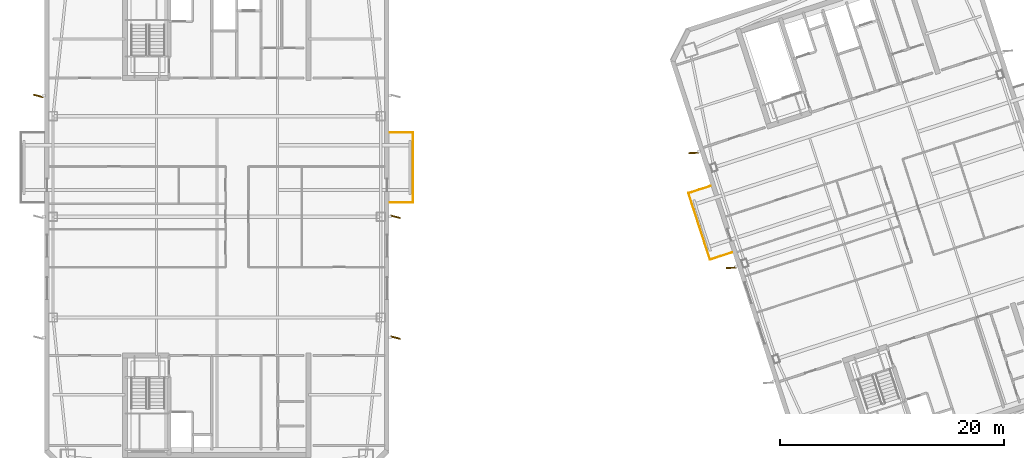
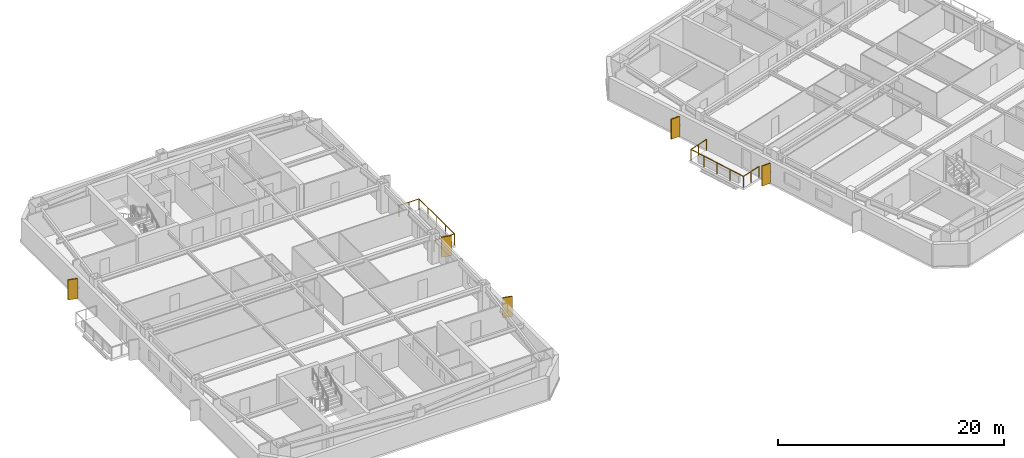
# One storey, part 14 of 17: 5 shading devices, 2 railings.
"""IFC4 building model written with IfcOpenShell, lengths in metres."""

from ifc_helpers import new_model, si_unit, direction, frame, origin, origin_2d, place, context, subcontext, project, spatial, rectangle, circle, extrude, material, layer, layer_set, type_object, element, save


model = new_model("IFC4")

# Units and contexts
model_context = context("Model", 3, precision=1e-05, world=origin(), true_north=direction((0.0, 1.0)))
body_context = subcontext(model_context, "Body", "Model", "MODEL_VIEW")
ifc_project = project(units=[si_unit("LENGTHUNIT", "METRE"), si_unit("AREAUNIT", "SQUARE_METRE"), si_unit("VOLUMEUNIT", "CUBIC_METRE"), si_unit("PLANEANGLEUNIT", "RADIAN"), si_unit("MASSUNIT", "GRAM", prefix="KILO")], contexts=[model_context])

# Site, building, storey
site_placement = place(None, origin())
site = spatial("IfcSite", under=ifc_project, at=site_placement, CompositionType="ELEMENT")
building_placement = place(site_placement, origin())
building = spatial("IfcBuilding", under=site, at=building_placement, Name="Qiaolan Cultural Towers", CompositionType="ELEMENT")
storey_placement = place(building_placement, frame((0.0, 0.0, 247.199951171875)))
storey = spatial("IfcBuildingStorey", under=building, at=storey_placement, Name="L67", CompositionType="ELEMENT", Elevation=247.199951171875)

# Railings
ifc_material_1 = material(Name="Laminated SentryGlas & Stainless Steel S31608 Balustrade", Category="steel")
railing_type = type_object("IfcRailingType", Name="GRD-TERR-1200", PredefinedType="BALUSTRADE", material=ifc_material_1)
railing_1_placement = place(storey_placement, frame((45.449951171875, 35.280029296875, 0.0)))
element("IfcRailing", 1, at=railing_1_placement, inside=storey, type_object=railing_type, Name="L67 T1 Tree Balcony Guardrail E", PredefinedType="BALUSTRADE", context=body_context, shape_type="SweptSolid", body=[
    extrude(circle(Radius=0.02392578125, at=origin_2d()), frame((0.0, 0.0, 1.17578125), z_axis=(1.0, 0.0, 0.0), x_axis=(0.0, 1.0, 0.0)), (0.0, 0.0, 1.0), 2.070068359375),
    extrude(circle(Radius=0.02392578125, at=origin_2d()), frame((2.070068359375, 0.0, 1.17578125), z_axis=(0.0, 1.0, 0.0), x_axis=(-1.0, 0.0, 0.0)), (0.0, 0.0, 1.0), 6.239990234375),
    extrude(circle(Radius=0.02392578125, at=origin_2d()), frame((2.070068359375, 6.239990234375, 1.17578125), z_axis=(-1.0, 0.0, 0.0), x_axis=(0.0, -1.0, 0.0)), (0.0, 0.0, 1.0), 2.070068359375),
    extrude(circle(Radius=0.02099609375, at=origin_2d()), origin(), (0.0, 0.0, 1.0), 1.15185546875),
    extrude(circle(Radius=0.02099609375, at=origin_2d()), frame((1.03515625, 0.0, 0.0)), (0.0, 0.0, 1.0), 1.15185546875),
    extrude(circle(Radius=0.02099609375, at=origin_2d()), frame((2.070068359375, 0.0, 0.0)), (0.0, 0.0, 1.0), 1.15185546875),
    extrude(circle(Radius=0.02099609375, at=origin_2d()), frame((2.070068359375, 1.56005859375, 0.0)), (0.0, 0.0, 1.0), 1.15185546875),
    extrude(circle(Radius=0.02099609375, at=origin_2d()), frame((2.070068359375, 3.1201171875, 0.0)), (0.0, 0.0, 1.0), 1.15185546875),
    extrude(circle(Radius=0.02099609375, at=origin_2d()), frame((2.070068359375, 4.679931640625, 0.0)), (0.0, 0.0, 1.0), 1.15185546875),
    extrude(circle(Radius=0.02099609375, at=origin_2d()), frame((2.070068359375, 6.239990234375, 0.0)), (0.0, 0.0, 1.0), 1.15185546875),
    extrude(circle(Radius=0.02099609375, at=origin_2d()), frame((1.03515625, 6.239990234375, 0.0)), (0.0, 0.0, 1.0), 1.15185546875),
    extrude(circle(Radius=0.02099609375, at=origin_2d()), frame((0.0, 6.239990234375, 0.0)), (0.0, 0.0, 1.0), 1.15185546875),
])
railing_2_placement = place(storey_placement, frame((76.052001953125, 30.81396484375, 0.0)))
element("IfcRailing", 2, at=railing_2_placement, inside=storey, type_object=railing_type, Name="L67 T2 Tree Balcony Guardrail W", PredefinedType="BALUSTRADE", context=body_context, shape_type="SweptSolid", body=[
    extrude(circle(Radius=0.02392578125, at=origin_2d()), frame((0.0, 0.0, 1.17578125), z_axis=(-0.951061799618, -0.309000733507, 0.0), x_axis=(0.309000733507, -0.951061799618, 0.0)), (0.0, 0.0, 1.0), 2.070068359375),
    extrude(circle(Radius=0.02392578125, at=origin_2d()), frame((-1.96875, -0.6396484375, 1.17578125), z_axis=(-0.30901175762, 0.951058217804, 0.0), x_axis=(-0.951058217804, -0.30901175762, 0.0)), (0.0, 0.0, 1.0), 6.239990234375),
    extrude(circle(Radius=0.02392578125, at=origin_2d()), frame((-3.89697265625, 5.294921875, 1.17578125), z_axis=(0.951050536716, 0.309035397023, 0.0), x_axis=(-0.309035397023, 0.951050536716, 0.0)), (0.0, 0.0, 1.0), 2.06982421875),
    extrude(circle(Radius=0.02099609375, at=origin_2d()), origin(), (0.0, 0.0, 1.0), 1.15185546875),
    extrude(circle(Radius=0.02099609375, at=origin_2d()), frame((-0.984375, -0.31982421875, 0.0)), (0.0, 0.0, 1.0), 1.15185546875),
    extrude(circle(Radius=0.02099609375, at=origin_2d()), frame((-1.96875, -0.6396484375, 0.0)), (0.0, 0.0, 1.0), 1.15185546875),
    extrude(circle(Radius=0.02099609375, at=origin_2d()), frame((-2.45068359375, 0.843994140625, 0.0)), (0.0, 0.0, 1.0), 1.15185546875),
    extrude(circle(Radius=0.02099609375, at=origin_2d()), frame((-2.932861328125, 2.32763671875, 0.0)), (0.0, 0.0, 1.0), 1.15185546875),
    extrude(circle(Radius=0.02099609375, at=origin_2d()), frame((-3.4150390625, 3.811279296875, 0.0)), (0.0, 0.0, 1.0), 1.15185546875),
    extrude(circle(Radius=0.02099609375, at=origin_2d()), frame((-3.89697265625, 5.294921875, 0.0)), (0.0, 0.0, 1.0), 1.15185546875),
    extrude(circle(Radius=0.02099609375, at=origin_2d()), frame((-2.91259765625, 5.61474609375, 0.0)), (0.0, 0.0, 1.0), 1.15185546875),
    extrude(circle(Radius=0.02099609375, at=origin_2d()), frame((-1.928466796875, 5.9345703125, 0.0)), (0.0, 0.0, 1.0), 1.15185546875),
])

# Shading devices
ifc_material_2 = material(Name="Light Limestone Precast Vertical Fin", Category="masonry")
ifc_layer = layer(ifc_material_2, 0.1201171875)
ifc_layer_set = layer_set([ifc_layer], Name="Light Limestone Precast Vertical Fin")
shading_device_type = type_object("IfcShadingDeviceType", Name="SHD-FIN-WHITE", PredefinedType="USERDEFINED", material=ifc_layer_set)
for number, where, z_axis, x_axis, name in (
    (3, (14.0400390625, 44.800048828125, 0.10009765625), (0.0, 0.0, 1.0), (0.966947591282, -0.254975206077, 0.0), "L67 T1 Expressive Precast Vertical Fin W3"),
    (4, (45.9599609375, 23.199951171875, 0.10009765625), (0.0, 0.0, 1.0), (0.966947591282, -0.254975206077, 0.0), "L67 T1 Expressive Precast Vertical Fin E1"),
    (5, (45.9599609375, 34.0, 0.10009765625), (0.0, 0.0, 1.0), (0.966947591282, -0.254975206077, 0.0), "L67 T1 Expressive Precast Vertical Fin E2"),
    (6, (75.96240234375, 29.43896484375, 0.10009765625), (0.0, 0.0, 1.0), (0.998413479427, 0.056307407143, 0.0), "L67 T2 Expressive Precast Vertical Fin W2"),
    (7, (72.625, 39.710205078125, 0.10009765625), (0.0, 0.0, 1.0), (0.998413479427, 0.056307407143, 0.0), "L67 T2 Expressive Precast Vertical Fin W3"),
):
    element("IfcShadingDevice", number, at=place(storey_placement, frame(where, z_axis=z_axis, x_axis=x_axis)), inside=storey, type_object=shading_device_type, Name=name, ObjectType="FIN", PredefinedType="USERDEFINED", context=body_context, shape_type="SweptSolid", body=[
        extrude(rectangle(XDim=0.89990234375, YDim=0.1201171875, at=origin_2d()), origin(), (0.0, 0.0, 1.0), 2.159912109375),
    ])

save(model, "model.ifc")
